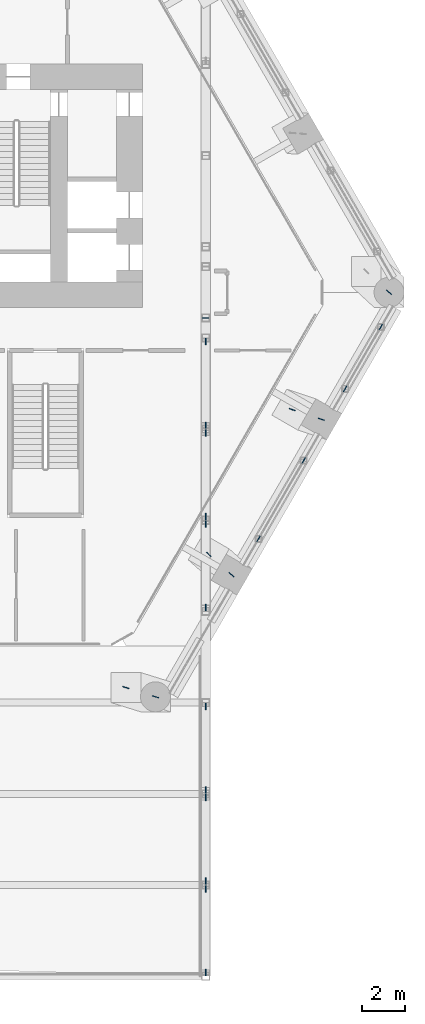
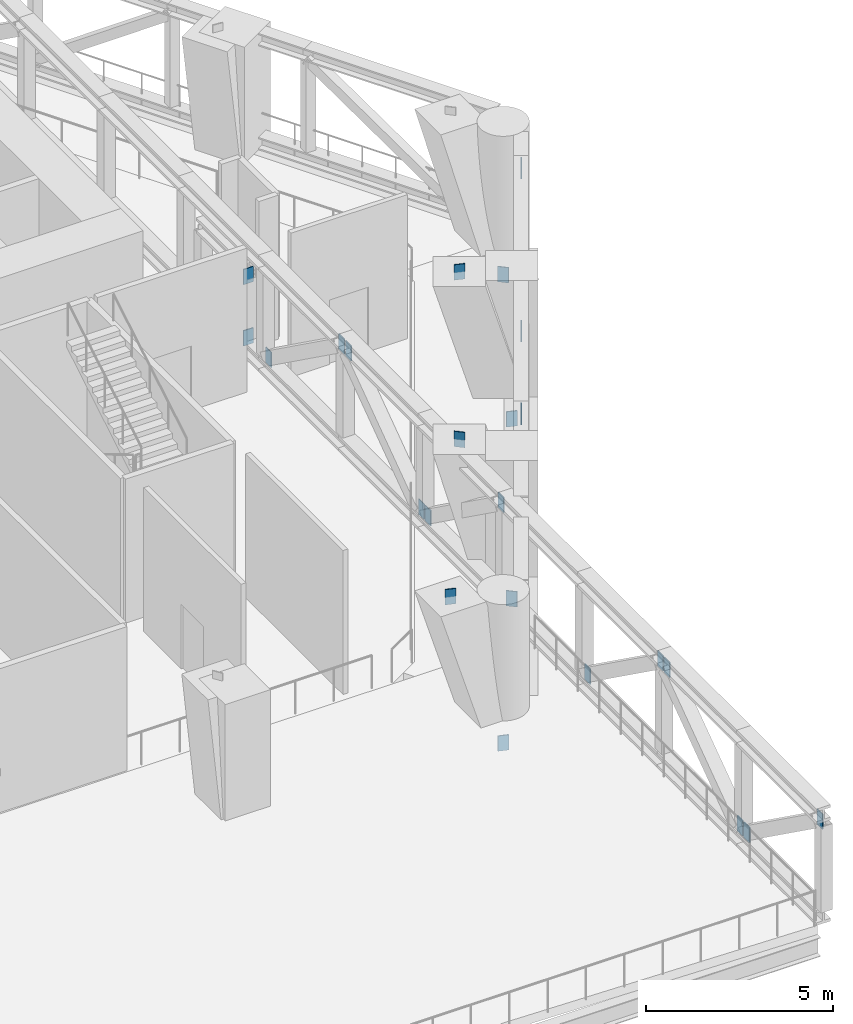
# One storey, part 13 of 20: 25 discrete accessories.
"""IFC4 building model written with IfcOpenShell, lengths in metres."""

from ifc_helpers import new_model, si_unit, direction, frame, origin, origin_2d, place, context, subcontext, project, spatial, rectangle, extrude, material, layer, layer_set, type_object, element, save


model = new_model("IFC4")

# Units and contexts
model_context = context("Model", 3, precision=1e-05, world=origin(), true_north=direction((0.0, 1.0)))
body_context = subcontext(model_context, "Body", "Model", "MODEL_VIEW")
ifc_project = project(units=[si_unit("LENGTHUNIT", "METRE"), si_unit("AREAUNIT", "SQUARE_METRE"), si_unit("VOLUMEUNIT", "CUBIC_METRE"), si_unit("PLANEANGLEUNIT", "RADIAN"), si_unit("MASSUNIT", "GRAM", prefix="KILO")], contexts=[model_context])

# Site, building, storey
site_placement = place(None, origin())
site = spatial("IfcSite", under=ifc_project, at=site_placement, CompositionType="ELEMENT")
building_placement = place(site_placement, origin())
building = spatial("IfcBuilding", under=site, at=building_placement, Name="Ostrander Bayou Hotel Tower", CompositionType="ELEMENT")
storey_placement = place(building_placement, frame((0.0, 0.0, 80.5)))
storey = spatial("IfcBuildingStorey", under=building, at=storey_placement, Name="L20", CompositionType="ELEMENT", Elevation=80.5)

# Discrete accessories
ifc_material = material(Name="Steel ASTM A572 Gr 50", Category="steel")
ifc_layer = layer(ifc_material, 0.030029296875)
ifc_layer_set = layer_set([ifc_layer], Name="GP1 gusset plate 30 mm")
discrete_accessory_type = type_object("IfcDiscreteAccessoryType", Name="GP1 gusset plate 30 mm", PredefinedType="BRACKET", material=ifc_layer_set)
for number, where, z_axis, x_axis, name in (
    (1, (19.54736328125, -8.843017578125, 0.157470703125), (0.0, 0.0, 1.0), (-0.5, -0.866025403784, 0.0), "GP1 gusset plate belt 9"),
    (2, (17.431884765625, -12.5068359375, 3.142578125), (0.0, 0.0, 1.0), (-0.5, -0.866025403784, 0.0), "GP1 gusset plate belt 10"),
    (3, (21.479248046875, -5.49658203125, 0.157470703125), (0.0, 0.0, 1.0), (0.500015114919, 0.866016677006, 0.0), "GP1 gusset plate belt 11"),
    (4, (23.150390625, -2.6025390625, 3.142578125), (0.0, 0.0, 1.0), (0.500015114919, 0.866016677006, 0.0), "GP1 gusset plate belt 12"),
    (5, (14.965087890625, -2.181884765625, 0.247802734375), (0.0, 0.0, 1.0), (1.0, 0.0, 0.0), "GP1 gusset plate bar 35"),
    (6, (14.965087890625, -2.181884765625, 2.25), (0.0, 0.0, 1.0), (1.0, 0.0, 0.0), "GP1 gusset plate bar 36"),
    (7, (14.965087890625, -3.291015625, 0.247802734375), (0.0, 0.0, 1.0), (0.0, -1.0, 0.0), "GP1 gusset plate bar 37"),
    (8, (14.965087890625, -7.19775390625, 3.05224609375), (0.0, 0.0, 1.0), (0.0, -1.0, 0.0), "GP1 gusset plate bar 38"),
    (9, (14.965087890625, -11.460205078125, 0.247802734375), (0.0, 0.0, 1.0), (0.0, 1.0, 0.0), "GP1 gusset plate bar 39"),
    (10, (14.965087890625, -7.55322265625, 3.05224609375), (0.0, 0.0, 1.0), (0.0, 1.0, 0.0), "GP1 gusset plate bar 40"),
    (11, (14.965087890625, -11.815673828125, 0.247802734375), (0.0, 0.0, 1.0), (0.0, -1.0, 0.0), "GP1 gusset plate bar 41"),
    (12, (14.965087890625, -15.722412109375, 3.05224609375), (0.0, 0.0, 1.0), (0.0, -1.0, 0.0), "GP1 gusset plate bar 42"),
    (13, (14.965087890625, -20.340576171875, 0.247802734375), (0.0, 0.0, 1.0), (0.0, -1.0, 0.0), "GP1 gusset plate bar 43"),
    (14, (14.965087890625, -24.247314453125, 3.05224609375), (0.0, 0.0, 1.0), (0.0, -1.0, 0.0), "GP1 gusset plate bar 44"),
    (15, (14.965087890625, -28.509765625, 0.247802734375), (0.0, 0.0, 1.0), (0.0, 1.0, 0.0), "GP1 gusset plate bar 45"),
    (16, (14.965087890625, -24.60302734375, 3.05224609375), (0.0, 0.0, 1.0), (0.0, 1.0, 0.0), "GP1 gusset plate bar 46"),
    (17, (14.965087890625, -28.865478515625, 0.247802734375), (0.0, 0.0, 1.0), (0.0, -1.0, 0.0), "GP1 gusset plate bar 47"),
    (18, (14.965087890625, -32.772216796875, 3.05224609375), (0.0, 0.0, 1.0), (0.0, -1.0, 0.0), "GP1 gusset plate bar 48"),
    (19, (12.617431640625, -19.890380859375, -1.449951171875), (0.0, 0.0, 1.0), (-0.954610162263, 0.297858083832, 0.0), "GP1 gusset plate belt 55"),
    (20, (11.234619140625, -19.458740234375, 3.550048828125), (0.0, 0.0, 1.0), (-0.954610162263, 0.297858083832, 0.0), "GP1 gusset plate belt 56"),
    (21, (23.5341796875, -0.98193359375, -1.449951171875), (0.0, 0.0, 1.0), (-0.735269577966, 0.677774776543, 0.0), "GP1 gusset plate belt 57"),
    (22, (16.17529296875, -14.183349609375, -1.449951171875), (0.0, 0.0, 1.0), (-0.747206821714, 0.664591578026, 0.0), "GP1 gusset plate belt 77"),
    (23, (15.107421875, -13.2333984375, 3.550048828125), (0.0, 0.0, 1.0), (-0.747206821714, 0.664591578026, 0.0), "GP1 gusset plate belt 78"),
    (24, (20.370849609375, -6.916748046875, -1.449951171875), (0.0, 0.0, 1.0), (-0.949151106053, 0.314820866332, 0.0), "GP1 gusset plate belt 79"),
    (25, (19.01416015625, -6.466796875, 3.550048828125), (0.0, 0.0, 1.0), (-0.949151106053, 0.314820866332, 0.0), "GP1 gusset plate belt 80"),
):
    element("IfcDiscreteAccessory", number, at=place(storey_placement, frame(where, z_axis=z_axis, x_axis=x_axis)), inside=storey, type_object=discrete_accessory_type, Name=name, PredefinedType="BRACKET", context=body_context, shape_type="SweptSolid", body=[
        extrude(rectangle(XDim=0.300048828125, YDim=0.030029296875, at=origin_2d()), origin(), (0.0, 0.0, 1.0), 0.5),
    ])

save(model, "model.ifc")
